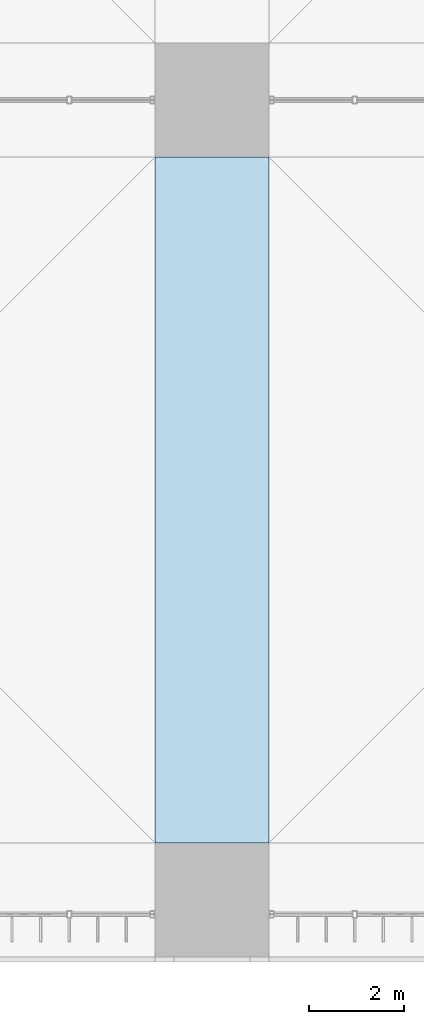
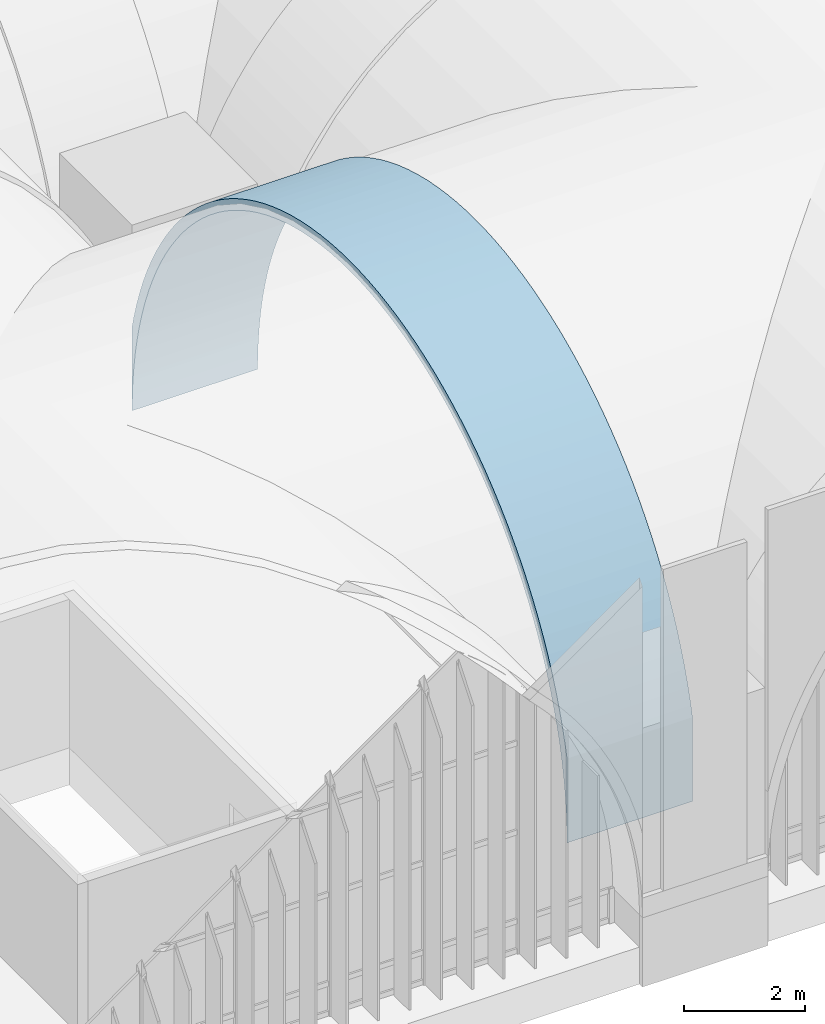
# One storey, part 131 of 169: 1 roof.
"""IFC4 building model written with IfcOpenShell, lengths in metres."""

from ifc_helpers import new_model, si_unit, direction, frame, origin, place, context, subcontext, project, spatial, polygons, material, layer, layer_set, type_object, element, save


model = new_model("IFC4")

# Units and contexts
model_context = context("Model", 3, precision=1e-05, world=origin(), true_north=direction((0.0, 1.0)))
body_context = subcontext(model_context, "Body", "Model", "MODEL_VIEW")
ifc_project = project(units=[si_unit("LENGTHUNIT", "METRE"), si_unit("AREAUNIT", "SQUARE_METRE"), si_unit("VOLUMEUNIT", "CUBIC_METRE"), si_unit("PLANEANGLEUNIT", "RADIAN"), si_unit("MASSUNIT", "GRAM", prefix="KILO")], contexts=[model_context])

# Site, building, storey
site_placement = place(None, origin())
site = spatial("IfcSite", under=ifc_project, at=site_placement, CompositionType="ELEMENT")
building_placement = place(site_placement, origin())
building = spatial("IfcBuilding", under=site, at=building_placement, Name="Verrick Yard Athletic Hall", CompositionType="ELEMENT")
storey_placement = place(building_placement, frame((0.0, 0.0, 4.39990234375)))
storey = spatial("IfcBuildingStorey", under=building, at=storey_placement, Name="L01", CompositionType="ELEMENT", Elevation=4.39990234375)

# Roof
ifc_material = material(Name="Concrete 35 MPa", Category="concrete")
ifc_layer = layer(ifc_material, 0.199951171875)
ifc_layer_set = layer_set([ifc_layer], Name="Arch rib 200")
roof_type = type_object("IfcRoofType", Name="Arch rib 200", PredefinedType="BARREL_ROOF", material=ifc_layer_set)
roof_placement = place(storey_placement, origin())
element("IfcRoof", 1, at=roof_placement, inside=storey, type_object=roof_type, Name="Vault rib X6-1", PredefinedType="BARREL_ROOF", context=body_context, shape_type="Tessellation", body=[
    polygons([(125.199951171875, 20.39990234375, 2.352294921875), (125.199951171875, 20.39990234375, 0.650146484375), (125.199951171875, 20.406982421875, 0.964111328125), (125.199951171875, 20.427490234375, 1.277587890625), (125.199951171875, 20.461669921875, 1.58984375), (125.199951171875, 20.509521484375, 1.900390625), (125.199951171875, 20.57080078125, 2.20849609375), (125.199951171875, 20.645263671875, 2.513671875), (125.199951171875, 20.733154296875, 2.815185546875), (125.199951171875, 20.834228515625, 3.112548828125), (125.199951171875, 20.947998046875, 3.405517578125), (125.199951171875, 21.07470703125, 3.693115234375), (125.199951171875, 21.21337890625, 3.974609375), (125.199951171875, 21.364501953125, 4.25), (125.199951171875, 21.527587890625, 4.518798828125), (125.199951171875, 21.7021484375, 4.77978515625), (125.199951171875, 21.887939453125, 5.033203125), (125.199951171875, 22.08447265625, 5.278076171875), (125.199951171875, 22.29150390625, 5.514404296875), (125.199951171875, 22.5087890625, 5.7412109375), (125.199951171875, 22.73583984375, 5.95849609375), (125.199951171875, 22.971923828125, 6.16552734375), (125.199951171875, 23.216796875, 6.3623046875), (125.199951171875, 23.47021484375, 6.548095703125), (125.199951171875, 23.7314453125, 6.722412109375), (125.199951171875, 24.0, 6.885498046875), (125.199951171875, 24.275390625, 7.03662109375), (125.199951171875, 24.55712890625, 7.175537109375), (125.199951171875, 24.8447265625, 7.302001953125), (125.199951171875, 25.137451171875, 7.416015625), (125.199951171875, 25.434814453125, 7.516845703125), (125.199951171875, 25.736572265625, 7.604736328125), (125.199951171875, 26.04150390625, 7.679443359375), (125.199951171875, 26.349609375, 7.74072265625), (125.199951171875, 26.66015625, 7.78857421875), (125.199951171875, 26.972412109375, 7.82275390625), (125.199951171875, 27.285888671875, 7.84326171875), (125.199951171875, 27.60009765625, 7.85009765625), (125.199951171875, 27.9140625, 7.84326171875), (125.199951171875, 28.2275390625, 7.82275390625), (125.199951171875, 28.539794921875, 7.78857421875), (125.199951171875, 28.850341796875, 7.74072265625), (125.199951171875, 29.158447265625, 7.679443359375), (125.199951171875, 29.46337890625, 7.604736328125), (125.199951171875, 29.76513671875, 7.516845703125), (125.199951171875, 30.0625, 7.416015625), (125.199951171875, 30.355224609375, 7.302001953125), (125.199951171875, 30.642822265625, 7.175537109375), (125.199951171875, 30.924560546875, 7.03662109375), (125.199951171875, 31.199951171875, 6.885498046875), (125.199951171875, 31.468505859375, 6.722412109375), (125.199951171875, 31.729736328125, 6.548095703125), (125.199951171875, 31.983154296875, 6.3623046875), (125.199951171875, 32.22802734375, 6.16552734375), (125.199951171875, 32.464111328125, 5.95849609375), (125.199951171875, 32.691162109375, 5.7412109375), (125.199951171875, 32.908447265625, 5.514404296875), (125.199951171875, 33.115478515625, 5.278076171875), (125.199951171875, 33.31201171875, 5.033203125), (125.199951171875, 33.497802734375, 4.77978515625), (125.199951171875, 33.67236328125, 4.518798828125), (125.199951171875, 33.83544921875, 4.25), (125.199951171875, 33.986572265625, 3.974609375), (125.199951171875, 34.12548828125, 3.693115234375), (125.199951171875, 34.251953125, 3.405517578125), (125.199951171875, 34.36572265625, 3.112548828125), (125.199951171875, 34.466796875, 2.815185546875), (125.199951171875, 34.5546875, 2.513671875), (125.199951171875, 34.62939453125, 2.20849609375), (125.199951171875, 34.690673828125, 1.900390625), (125.199951171875, 34.73828125, 1.58984375), (125.199951171875, 34.772705078125, 1.277587890625), (125.199951171875, 34.793212890625, 0.964111328125), (125.199951171875, 34.800048828125, 0.650146484375), (125.199951171875, 34.800048828125, 2.352294921875), (125.199951171875, 34.747802734375, 2.5654296875), (125.199951171875, 34.657470703125, 2.875244140625), (125.199951171875, 34.5537109375, 3.180908203125), (125.199951171875, 34.436767578125, 3.48193359375), (125.199951171875, 34.306640625, 3.777587890625), (125.199951171875, 34.163818359375, 4.06689453125), (125.199951171875, 34.008544921875, 4.35009765625), (125.199951171875, 33.841064453125, 4.6259765625), (125.199951171875, 33.66162109375, 4.89453125), (125.199951171875, 33.470703125, 5.15478515625), (125.199951171875, 33.268798828125, 5.40673828125), (125.199951171875, 33.055908203125, 5.6494140625), (125.199951171875, 32.83251953125, 5.8828125), (125.199951171875, 32.599365234375, 6.10595703125), (125.199951171875, 32.356689453125, 6.31884765625), (125.199951171875, 32.104736328125, 6.52099609375), (125.199951171875, 31.844482421875, 6.7119140625), (125.199951171875, 31.575927734375, 6.89111328125), (125.199951171875, 31.300048828125, 7.05859375), (125.199951171875, 31.016845703125, 7.214111328125), (125.199951171875, 30.727294921875, 7.356689453125), (125.199951171875, 30.431884765625, 7.48681640625), (125.199951171875, 30.130859375, 7.603759765625), (125.199951171875, 29.8251953125, 7.70751953125), (125.199951171875, 29.515380859375, 7.798095703125), (125.199951171875, 29.20166015625, 7.874755859375), (125.199951171875, 28.885009765625, 7.937744140625), (125.199951171875, 28.56591796875, 7.98681640625), (125.199951171875, 28.2451171875, 8.02197265625), (125.199951171875, 27.9228515625, 8.043212890625), (125.199951171875, 27.60009765625, 8.050048828125), (125.199951171875, 27.277099609375, 8.043212890625), (125.199951171875, 26.955078125, 8.02197265625), (125.199951171875, 26.634033203125, 7.98681640625), (125.199951171875, 26.31494140625, 7.937744140625), (125.199951171875, 25.998291015625, 7.874755859375), (125.199951171875, 25.684814453125, 7.798095703125), (125.199951171875, 25.374755859375, 7.70751953125), (125.199951171875, 25.069091796875, 7.603759765625), (125.199951171875, 24.76806640625, 7.48681640625), (125.199951171875, 24.47265625, 7.356689453125), (125.199951171875, 24.18310546875, 7.214111328125), (125.199951171875, 23.89990234375, 7.05859375), (125.199951171875, 23.6240234375, 6.89111328125), (125.199951171875, 23.35546875, 6.7119140625), (125.199951171875, 23.09521484375, 6.52099609375), (125.199951171875, 22.843505859375, 6.31884765625), (125.199951171875, 22.6005859375, 6.10595703125), (125.199951171875, 22.367431640625, 5.8828125), (125.199951171875, 22.14404296875, 5.6494140625), (125.199951171875, 21.931396484375, 5.40673828125), (125.199951171875, 21.729248046875, 5.15478515625), (125.199951171875, 21.538330078125, 4.89453125), (125.199951171875, 21.35888671875, 4.6259765625), (125.199951171875, 21.19140625, 4.35009765625), (125.199951171875, 21.0361328125, 4.06689453125), (125.199951171875, 20.893310546875, 3.777587890625), (125.199951171875, 20.76318359375, 3.48193359375), (125.199951171875, 20.646240234375, 3.180908203125), (125.199951171875, 20.54248046875, 2.875244140625), (125.199951171875, 20.4521484375, 2.5654296875), (122.800048828125, 20.39990234375, 2.352294921875), (122.800048828125, 20.39990234375, 0.650146484375), (122.800048828125, 20.406982421875, 0.964111328125), (122.800048828125, 20.427490234375, 1.277587890625), (122.800048828125, 20.461669921875, 1.58984375), (122.800048828125, 20.509521484375, 1.900390625), (122.800048828125, 20.57080078125, 2.20849609375), (122.800048828125, 20.645263671875, 2.513671875), (122.800048828125, 20.733154296875, 2.815185546875), (122.800048828125, 20.834228515625, 3.112548828125), (122.800048828125, 20.947998046875, 3.405517578125), (122.800048828125, 21.07470703125, 3.693115234375), (122.800048828125, 21.21337890625, 3.974609375), (122.800048828125, 21.364501953125, 4.25), (122.800048828125, 21.527587890625, 4.518798828125), (122.800048828125, 21.7021484375, 4.77978515625), (122.800048828125, 21.887939453125, 5.033203125), (122.800048828125, 22.08447265625, 5.278076171875), (122.800048828125, 22.29150390625, 5.514404296875), (122.800048828125, 22.5087890625, 5.7412109375), (122.800048828125, 22.73583984375, 5.95849609375), (122.800048828125, 22.971923828125, 6.16552734375), (122.800048828125, 23.216796875, 6.3623046875), (122.800048828125, 23.47021484375, 6.548095703125), (122.800048828125, 23.7314453125, 6.722412109375), (122.800048828125, 24.0, 6.885498046875), (122.800048828125, 24.275390625, 7.03662109375), (122.800048828125, 24.55712890625, 7.175537109375), (122.800048828125, 24.8447265625, 7.302001953125), (122.800048828125, 25.137451171875, 7.416015625), (122.800048828125, 25.434814453125, 7.516845703125), (122.800048828125, 25.736572265625, 7.604736328125), (122.800048828125, 26.04150390625, 7.679443359375), (122.800048828125, 26.349609375, 7.74072265625), (122.800048828125, 26.66015625, 7.78857421875), (122.800048828125, 26.972412109375, 7.82275390625), (122.800048828125, 27.285888671875, 7.84326171875), (122.800048828125, 27.60009765625, 7.85009765625), (122.800048828125, 27.9140625, 7.84326171875), (122.800048828125, 28.2275390625, 7.82275390625), (122.800048828125, 28.539794921875, 7.78857421875), (122.800048828125, 28.850341796875, 7.74072265625), (122.800048828125, 29.158447265625, 7.679443359375), (122.800048828125, 29.46337890625, 7.604736328125), (122.800048828125, 29.76513671875, 7.516845703125), (122.800048828125, 30.0625, 7.416015625), (122.800048828125, 30.355224609375, 7.302001953125), (122.800048828125, 30.642822265625, 7.175537109375), (122.800048828125, 30.924560546875, 7.03662109375), (122.800048828125, 31.199951171875, 6.885498046875), (122.800048828125, 31.468505859375, 6.722412109375), (122.800048828125, 31.729736328125, 6.548095703125), (122.800048828125, 31.983154296875, 6.3623046875), (122.800048828125, 32.22802734375, 6.16552734375), (122.800048828125, 32.464111328125, 5.95849609375), (122.800048828125, 32.691162109375, 5.7412109375), (122.800048828125, 32.908447265625, 5.514404296875), (122.800048828125, 33.115478515625, 5.278076171875), (122.800048828125, 33.31201171875, 5.033203125), (122.800048828125, 33.497802734375, 4.77978515625), (122.800048828125, 33.67236328125, 4.518798828125), (122.800048828125, 33.83544921875, 4.25), (122.800048828125, 33.986572265625, 3.974609375), (122.800048828125, 34.12548828125, 3.693115234375), (122.800048828125, 34.251953125, 3.405517578125), (122.800048828125, 34.36572265625, 3.112548828125), (122.800048828125, 34.466796875, 2.815185546875), (122.800048828125, 34.5546875, 2.513671875), (122.800048828125, 34.62939453125, 2.20849609375), (122.800048828125, 34.690673828125, 1.900390625), (122.800048828125, 34.73828125, 1.58984375), (122.800048828125, 34.772705078125, 1.277587890625), (122.800048828125, 34.793212890625, 0.964111328125), (122.800048828125, 34.800048828125, 0.650146484375), (122.800048828125, 34.800048828125, 2.352294921875), (122.800048828125, 34.747802734375, 2.5654296875), (122.800048828125, 34.657470703125, 2.875244140625), (122.800048828125, 34.5537109375, 3.180908203125), (122.800048828125, 34.436767578125, 3.48193359375), (122.800048828125, 34.306640625, 3.777587890625), (122.800048828125, 34.163818359375, 4.06689453125), (122.800048828125, 34.008544921875, 4.35009765625), (122.800048828125, 33.841064453125, 4.6259765625), (122.800048828125, 33.66162109375, 4.89453125), (122.800048828125, 33.470703125, 5.15478515625), (122.800048828125, 33.268798828125, 5.40673828125), (122.800048828125, 33.055908203125, 5.6494140625), (122.800048828125, 32.83251953125, 5.8828125), (122.800048828125, 32.599365234375, 6.10595703125), (122.800048828125, 32.356689453125, 6.31884765625), (122.800048828125, 32.104736328125, 6.52099609375), (122.800048828125, 31.844482421875, 6.7119140625), (122.800048828125, 31.575927734375, 6.89111328125), (122.800048828125, 31.300048828125, 7.05859375), (122.800048828125, 31.016845703125, 7.214111328125), (122.800048828125, 30.727294921875, 7.356689453125), (122.800048828125, 30.431884765625, 7.48681640625), (122.800048828125, 30.130859375, 7.603759765625), (122.800048828125, 29.8251953125, 7.70751953125), (122.800048828125, 29.515380859375, 7.798095703125), (122.800048828125, 29.20166015625, 7.874755859375), (122.800048828125, 28.885009765625, 7.937744140625), (122.800048828125, 28.56591796875, 7.98681640625), (122.800048828125, 28.2451171875, 8.02197265625), (122.800048828125, 27.9228515625, 8.043212890625), (122.800048828125, 27.60009765625, 8.050048828125), (122.800048828125, 27.277099609375, 8.043212890625), (122.800048828125, 26.955078125, 8.02197265625), (122.800048828125, 26.634033203125, 7.98681640625), (122.800048828125, 26.31494140625, 7.937744140625), (122.800048828125, 25.998291015625, 7.874755859375), (122.800048828125, 25.684814453125, 7.798095703125), (122.800048828125, 25.374755859375, 7.70751953125), (122.800048828125, 25.069091796875, 7.603759765625), (122.800048828125, 24.76806640625, 7.48681640625), (122.800048828125, 24.47265625, 7.356689453125), (122.800048828125, 24.18310546875, 7.214111328125), (122.800048828125, 23.89990234375, 7.05859375), (122.800048828125, 23.6240234375, 6.89111328125), (122.800048828125, 23.35546875, 6.7119140625), (122.800048828125, 23.09521484375, 6.52099609375), (122.800048828125, 22.843505859375, 6.31884765625), (122.800048828125, 22.6005859375, 6.10595703125), (122.800048828125, 22.367431640625, 5.8828125), (122.800048828125, 22.14404296875, 5.6494140625), (122.800048828125, 21.931396484375, 5.40673828125), (122.800048828125, 21.729248046875, 5.15478515625), (122.800048828125, 21.538330078125, 4.89453125), (122.800048828125, 21.35888671875, 4.6259765625), (122.800048828125, 21.19140625, 4.35009765625), (122.800048828125, 21.0361328125, 4.06689453125), (122.800048828125, 20.893310546875, 3.777587890625), (122.800048828125, 20.76318359375, 3.48193359375), (122.800048828125, 20.646240234375, 3.180908203125), (122.800048828125, 20.54248046875, 2.875244140625), (122.800048828125, 20.4521484375, 2.5654296875)], [[[1, 2, 3]], [[137, 139, 138]], [[136, 1, 3]], [[272, 139, 137]], [[136, 3, 4]], [[272, 140, 139]], [[136, 4, 5]], [[272, 141, 140]], [[136, 5, 6]], [[272, 142, 141]], [[136, 6, 7]], [[272, 143, 142]], [[136, 7, 8]], [[272, 144, 143]], [[136, 8, 9]], [[272, 145, 144]], [[136, 9, 10]], [[272, 146, 145]], [[136, 10, 11]], [[272, 147, 146]], [[136, 11, 12]], [[272, 148, 147]], [[136, 12, 13]], [[272, 149, 148]], [[73, 74, 75]], [[209, 211, 210]], [[72, 73, 75]], [[208, 211, 209]], [[71, 72, 75]], [[207, 211, 208]], [[70, 71, 75]], [[206, 211, 207]], [[69, 70, 75]], [[205, 211, 206]], [[68, 69, 75]], [[204, 211, 205]], [[67, 68, 75]], [[203, 211, 204]], [[66, 67, 75]], [[202, 211, 203]], [[65, 66, 75]], [[201, 211, 202]], [[64, 65, 75]], [[200, 211, 201]], [[63, 64, 75]], [[199, 211, 200]], [[63, 75, 76]], [[199, 212, 211]], [[63, 76, 77]], [[199, 213, 212]], [[62, 63, 77]], [[198, 213, 199]], [[62, 77, 78]], [[198, 214, 213]], [[61, 62, 78]], [[197, 214, 198]], [[61, 78, 79]], [[197, 215, 214]], [[60, 61, 79]], [[196, 215, 197]], [[60, 79, 80]], [[196, 216, 215]], [[59, 60, 80]], [[195, 216, 196]], [[59, 80, 81]], [[195, 217, 216]], [[58, 59, 81]], [[194, 217, 195]], [[58, 81, 82]], [[194, 218, 217]], [[57, 58, 82]], [[193, 218, 194]], [[57, 82, 83]], [[193, 219, 218]], [[56, 57, 83]], [[192, 219, 193]], [[56, 83, 84]], [[192, 220, 219]], [[55, 56, 84]], [[191, 220, 192]], [[55, 84, 85]], [[191, 221, 220]], [[54, 55, 85]], [[190, 221, 191]], [[54, 85, 86]], [[190, 222, 221]], [[53, 54, 86]], [[189, 222, 190]], [[53, 86, 87]], [[189, 223, 222]], [[52, 53, 87]], [[188, 223, 189]], [[52, 87, 88]], [[188, 224, 223]], [[51, 52, 88]], [[187, 224, 188]], [[51, 88, 89]], [[187, 225, 224]], [[50, 51, 89]], [[186, 225, 187]], [[50, 89, 90]], [[186, 226, 225]], [[49, 50, 90]], [[185, 226, 186]], [[49, 90, 91]], [[185, 227, 226]], [[48, 49, 91]], [[184, 227, 185]], [[48, 91, 92]], [[184, 228, 227]], [[47, 48, 92]], [[183, 228, 184]], [[47, 92, 93]], [[183, 229, 228]], [[46, 47, 93]], [[182, 229, 183]], [[46, 93, 94]], [[182, 230, 229]], [[45, 46, 94]], [[181, 230, 182]], [[45, 94, 95]], [[181, 231, 230]], [[44, 45, 95]], [[180, 231, 181]], [[44, 95, 96]], [[180, 232, 231]], [[43, 44, 96]], [[179, 232, 180]], [[43, 96, 97]], [[179, 233, 232]], [[42, 43, 97]], [[178, 233, 179]], [[42, 97, 98]], [[178, 234, 233]], [[41, 42, 98]], [[177, 234, 178]], [[41, 98, 99]], [[177, 235, 234]], [[40, 41, 99]], [[176, 235, 177]], [[40, 99, 100]], [[176, 236, 235]], [[39, 40, 100]], [[175, 236, 176]], [[39, 100, 101]], [[175, 237, 236]], [[38, 39, 101]], [[174, 237, 175]], [[38, 101, 102]], [[174, 238, 237]], [[37, 38, 102]], [[173, 238, 174]], [[37, 102, 103]], [[173, 239, 238]], [[36, 37, 103]], [[172, 239, 173]], [[36, 103, 104]], [[172, 240, 239]], [[35, 36, 104]], [[171, 240, 172]], [[35, 104, 105]], [[171, 241, 240]], [[34, 35, 105]], [[170, 241, 171]], [[34, 105, 106]], [[170, 242, 241]], [[33, 34, 106]], [[169, 242, 170]], [[33, 106, 107]], [[169, 243, 242]], [[32, 33, 107]], [[168, 243, 169]], [[32, 107, 108]], [[168, 244, 243]], [[31, 32, 108]], [[167, 244, 168]], [[31, 108, 109]], [[167, 245, 244]], [[30, 31, 109]], [[166, 245, 167]], [[30, 109, 110]], [[166, 246, 245]], [[29, 30, 110]], [[165, 246, 166]], [[29, 110, 111]], [[165, 247, 246]], [[28, 29, 111]], [[164, 247, 165]], [[28, 111, 112]], [[164, 248, 247]], [[27, 28, 112]], [[163, 248, 164]], [[27, 112, 113]], [[163, 249, 248]], [[26, 27, 113]], [[162, 249, 163]], [[26, 113, 114]], [[162, 250, 249]], [[25, 26, 114]], [[161, 250, 162]], [[25, 114, 115]], [[161, 251, 250]], [[24, 25, 115]], [[160, 251, 161]], [[24, 115, 116]], [[160, 252, 251]], [[23, 24, 116]], [[159, 252, 160]], [[23, 116, 117]], [[159, 253, 252]], [[22, 23, 117]], [[158, 253, 159]], [[22, 117, 118]], [[158, 254, 253]], [[21, 22, 118]], [[157, 254, 158]], [[21, 118, 119]], [[157, 255, 254]], [[20, 21, 119]], [[156, 255, 157]], [[20, 119, 120]], [[156, 256, 255]], [[19, 20, 120]], [[155, 256, 156]], [[19, 120, 121]], [[155, 257, 256]], [[18, 19, 121]], [[154, 257, 155]], [[18, 121, 122]], [[154, 258, 257]], [[17, 18, 122]], [[153, 258, 154]], [[17, 122, 123]], [[153, 259, 258]], [[16, 17, 123]], [[152, 259, 153]], [[16, 123, 124]], [[152, 260, 259]], [[15, 16, 124]], [[151, 260, 152]], [[15, 124, 125]], [[151, 261, 260]], [[14, 15, 125]], [[150, 261, 151]], [[14, 125, 126]], [[150, 262, 261]], [[13, 14, 126]], [[149, 262, 150]], [[136, 13, 126]], [[272, 262, 149]], [[136, 126, 127]], [[272, 263, 262]], [[136, 127, 128]], [[272, 264, 263]], [[136, 128, 129]], [[272, 265, 264]], [[136, 129, 130]], [[272, 266, 265]], [[136, 130, 131]], [[272, 267, 266]], [[136, 131, 132]], [[272, 268, 267]], [[136, 132, 133]], [[272, 269, 268]], [[136, 133, 134]], [[272, 270, 269]], [[134, 135, 136]], [[270, 272, 271]], [[1, 138, 2]], [[1, 137, 138]], [[2, 139, 3]], [[2, 138, 139]], [[3, 140, 4]], [[3, 139, 140]], [[4, 141, 5]], [[4, 140, 141]], [[5, 142, 6]], [[5, 141, 142]], [[6, 143, 7]], [[6, 142, 143]], [[7, 144, 8]], [[7, 143, 144]], [[8, 145, 9]], [[8, 144, 145]], [[9, 146, 10]], [[9, 145, 146]], [[10, 147, 11]], [[10, 146, 147]], [[11, 148, 12]], [[11, 147, 148]], [[12, 149, 13]], [[12, 148, 149]], [[13, 150, 14]], [[13, 149, 150]], [[14, 151, 15]], [[14, 150, 151]], [[15, 152, 16]], [[15, 151, 152]], [[16, 153, 17]], [[16, 152, 153]], [[17, 154, 18]], [[17, 153, 154]], [[18, 155, 19]], [[18, 154, 155]], [[19, 156, 20]], [[19, 155, 156]], [[20, 157, 21]], [[20, 156, 157]], [[21, 158, 22]], [[21, 157, 158]], [[22, 159, 23]], [[22, 158, 159]], [[23, 160, 24]], [[23, 159, 160]], [[24, 161, 25]], [[24, 160, 161]], [[25, 162, 26]], [[25, 161, 162]], [[26, 163, 27]], [[26, 162, 163]], [[27, 164, 28]], [[27, 163, 164]], [[28, 165, 29]], [[28, 164, 165]], [[29, 166, 30]], [[29, 165, 166]], [[30, 167, 31]], [[30, 166, 167]], [[31, 168, 32]], [[31, 167, 168]], [[32, 169, 33]], [[32, 168, 169]], [[33, 170, 34]], [[33, 169, 170]], [[34, 171, 35]], [[34, 170, 171]], [[35, 172, 36]], [[35, 171, 172]], [[36, 173, 37]], [[36, 172, 173]], [[37, 174, 38]], [[37, 173, 174]], [[38, 175, 39]], [[38, 174, 175]], [[39, 176, 40]], [[39, 175, 176]], [[40, 177, 41]], [[40, 176, 177]], [[41, 178, 42]], [[41, 177, 178]], [[42, 179, 43]], [[42, 178, 179]], [[43, 180, 44]], [[43, 179, 180]], [[44, 181, 45]], [[44, 180, 181]], [[45, 182, 46]], [[45, 181, 182]], [[46, 183, 47]], [[46, 182, 183]], [[47, 184, 48]], [[47, 183, 184]], [[48, 185, 49]], [[48, 184, 185]], [[49, 186, 50]], [[49, 185, 186]], [[50, 187, 51]], [[50, 186, 187]], [[51, 188, 52]], [[51, 187, 188]], [[52, 189, 53]], [[52, 188, 189]], [[53, 190, 54]], [[53, 189, 190]], [[54, 191, 55]], [[54, 190, 191]], [[55, 192, 56]], [[55, 191, 192]], [[56, 193, 57]], [[56, 192, 193]], [[57, 194, 58]], [[57, 193, 194]], [[58, 195, 59]], [[58, 194, 195]], [[59, 196, 60]], [[59, 195, 196]], [[60, 197, 61]], [[60, 196, 197]], [[61, 198, 62]], [[61, 197, 198]], [[62, 199, 63]], [[62, 198, 199]], [[63, 200, 64]], [[63, 199, 200]], [[64, 201, 65]], [[64, 200, 201]], [[65, 202, 66]], [[65, 201, 202]], [[66, 203, 67]], [[66, 202, 203]], [[67, 204, 68]], [[67, 203, 204]], [[68, 205, 69]], [[68, 204, 205]], [[69, 206, 70]], [[69, 205, 206]], [[70, 207, 71]], [[70, 206, 207]], [[71, 208, 72]], [[71, 207, 208]], [[72, 209, 73]], [[72, 208, 209]], [[73, 210, 74]], [[73, 209, 210]], [[74, 211, 75]], [[74, 210, 211]], [[75, 212, 76]], [[75, 211, 212]], [[76, 213, 77]], [[76, 212, 213]], [[77, 214, 78]], [[77, 213, 214]], [[78, 215, 79]], [[78, 214, 215]], [[79, 216, 80]], [[79, 215, 216]], [[80, 217, 81]], [[80, 216, 217]], [[81, 218, 82]], [[81, 217, 218]], [[82, 219, 83]], [[82, 218, 219]], [[83, 220, 84]], [[83, 219, 220]], [[84, 221, 85]], [[84, 220, 221]], [[85, 222, 86]], [[85, 221, 222]], [[86, 223, 87]], [[86, 222, 223]], [[87, 224, 88]], [[87, 223, 224]], [[88, 225, 89]], [[88, 224, 225]], [[89, 226, 90]], [[89, 225, 226]], [[90, 227, 91]], [[90, 226, 227]], [[91, 228, 92]], [[91, 227, 228]], [[92, 229, 93]], [[92, 228, 229]], [[93, 230, 94]], [[93, 229, 230]], [[94, 231, 95]], [[94, 230, 231]], [[95, 232, 96]], [[95, 231, 232]], [[96, 233, 97]], [[96, 232, 233]], [[97, 234, 98]], [[97, 233, 234]], [[98, 235, 99]], [[98, 234, 235]], [[99, 236, 100]], [[99, 235, 236]], [[100, 237, 101]], [[100, 236, 237]], [[101, 238, 102]], [[101, 237, 238]], [[102, 239, 103]], [[102, 238, 239]], [[103, 240, 104]], [[103, 239, 240]], [[104, 241, 105]], [[104, 240, 241]], [[105, 242, 106]], [[105, 241, 242]], [[106, 243, 107]], [[106, 242, 243]], [[107, 244, 108]], [[107, 243, 244]], [[108, 245, 109]], [[108, 244, 245]], [[109, 246, 110]], [[109, 245, 246]], [[110, 247, 111]], [[110, 246, 247]], [[111, 248, 112]], [[111, 247, 248]], [[112, 249, 113]], [[112, 248, 249]], [[113, 250, 114]], [[113, 249, 250]], [[114, 251, 115]], [[114, 250, 251]], [[115, 252, 116]], [[115, 251, 252]], [[116, 253, 117]], [[116, 252, 253]], [[117, 254, 118]], [[117, 253, 254]], [[118, 255, 119]], [[118, 254, 255]], [[119, 256, 120]], [[119, 255, 256]], [[120, 257, 121]], [[120, 256, 257]], [[121, 258, 122]], [[121, 257, 258]], [[122, 259, 123]], [[122, 258, 259]], [[123, 260, 124]], [[123, 259, 260]], [[124, 261, 125]], [[124, 260, 261]], [[125, 262, 126]], [[125, 261, 262]], [[126, 263, 127]], [[126, 262, 263]], [[127, 264, 128]], [[127, 263, 264]], [[128, 265, 129]], [[128, 264, 265]], [[129, 266, 130]], [[129, 265, 266]], [[130, 267, 131]], [[130, 266, 267]], [[131, 268, 132]], [[131, 267, 268]], [[132, 269, 133]], [[132, 268, 269]], [[133, 270, 134]], [[133, 269, 270]], [[134, 271, 135]], [[134, 270, 271]], [[135, 272, 136]], [[135, 271, 272]], [[136, 137, 1]], [[136, 272, 137]]], closed=True),
])

save(model, "model.ifc")
